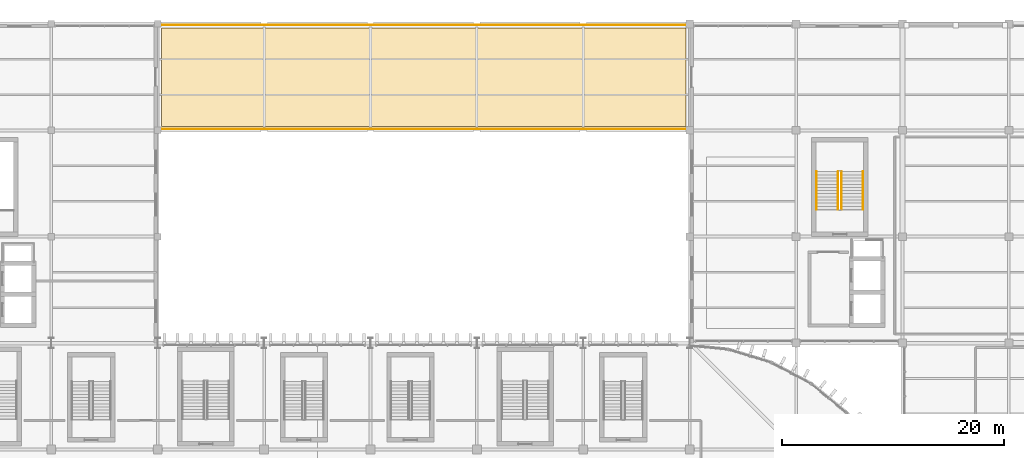
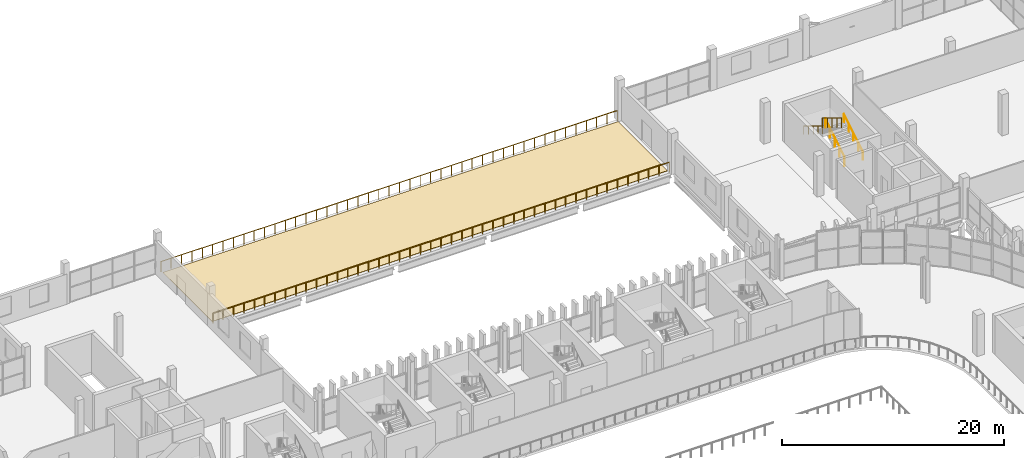
# One storey, part 74 of 75: 6 railings, 1 covering.
"""IFC4 building model written with IfcOpenShell, lengths in metres."""

from ifc_helpers import new_model, si_unit, direction, frame, origin, origin_2d, place, context, subcontext, project, spatial, polyline, circle, outline, extrude, material, layer, layer_set, type_object, element, save


model = new_model("IFC4")

# Units and contexts
model_context = context("Model", 3, precision=1e-05, world=origin(), true_north=direction((0.0, 1.0)))
body_context = subcontext(model_context, "Body", "Model", "MODEL_VIEW")
ifc_project = project(units=[si_unit("LENGTHUNIT", "METRE"), si_unit("AREAUNIT", "SQUARE_METRE"), si_unit("VOLUMEUNIT", "CUBIC_METRE"), si_unit("PLANEANGLEUNIT", "RADIAN"), si_unit("MASSUNIT", "GRAM", prefix="KILO")], contexts=[model_context])

# Site, building, storey
site_placement = place(None, origin())
site = spatial("IfcSite", under=ifc_project, at=site_placement, CompositionType="ELEMENT")
building_placement = place(site_placement, origin())
building = spatial("IfcBuilding", under=site, at=building_placement, Name="Caelomonte Colonnade Arena", CompositionType="ELEMENT")
storey_placement = place(building_placement, frame((0.0, 0.0, 14.10009765625)))
storey = spatial("IfcBuildingStorey", under=building, at=storey_placement, Name="L03", CompositionType="ELEMENT", Elevation=14.10009765625)

# Covering
ifc_material_1 = material(Name="Travertine colonnade arrival paving", Category="masonry")
ifc_layer = layer(ifc_material_1, 0.0400390625)
ifc_layer_set = layer_set([ifc_layer], Name="Travertine colonnade arrival paving")
covering_type = type_object("IfcCoveringType", Name="ENV-CV-PAV25", PredefinedType="FLOORING", material=ifc_layer_set)
covering_placement = place(storey_placement, origin())
element("IfcCovering", 1, at=covering_placement, inside=storey, type_object=covering_type, Name="Peristyle North Courtyard Terrace travertine terrace paving 3", PredefinedType="FLOORING", context=body_context, shape_type="SweptSolid", body=[
    extrude(outline(polyline([(96.35009765625, 134.75), (143.64990234375, 134.75), (143.64990234375, 143.64990234375), (96.35009765625, 143.64990234375), (96.35009765625, 134.75)])), origin(), (0.0, 0.0, 1.0), 0.039794921875),
])

# Railings
ifc_material_2 = material(Name="Travertine limestone and bronze balustrade", Category="masonry")
railing_type_1 = type_object("IfcRailingType", Name="ENV-RL-BAL1", PredefinedType="BALUSTRADE", material=ifc_material_2)
railing_1_placement = place(storey_placement, frame((96.280029296875, 143.8798828125, 0.0)))
element("IfcRailing", 2, at=railing_1_placement, inside=storey, type_object=railing_type_1, Name="Peristyle North Courtyard Terrace perimeter guard 1", PredefinedType="BALUSTRADE", context=body_context, shape_type="SweptSolid", body=[
    extrude(circle(Radius=0.02392578125, at=origin_2d()), frame((0.0, 0.0, 1.09619140625), z_axis=(1.0, 0.0, 0.0), x_axis=(0.0, 1.0, 0.0)), (0.0, 0.0, 1.0), 47.43994140625),
    extrude(circle(Radius=0.02099609375, at=origin_2d()), origin(), (0.0, 0.0, 1.0), 1.068115234375),
    extrude(circle(Radius=0.02099609375, at=origin_2d()), frame((1.078125, 0.0, 0.0)), (0.0, 0.0, 1.0), 1.068115234375),
    extrude(circle(Radius=0.02099609375, at=origin_2d()), frame((2.15625, 0.0, 0.0)), (0.0, 0.0, 1.0), 1.068115234375),
    extrude(circle(Radius=0.02099609375, at=origin_2d()), frame((3.234619140625, 0.0, 0.0)), (0.0, 0.0, 1.0), 1.068115234375),
    extrude(circle(Radius=0.02099609375, at=origin_2d()), frame((4.312744140625, 0.0, 0.0)), (0.0, 0.0, 1.0), 1.068115234375),
    extrude(circle(Radius=0.02099609375, at=origin_2d()), frame((5.390869140625, 0.0, 0.0)), (0.0, 0.0, 1.0), 1.068115234375),
    extrude(circle(Radius=0.02099609375, at=origin_2d()), frame((6.468994140625, 0.0, 0.0)), (0.0, 0.0, 1.0), 1.068115234375),
    extrude(circle(Radius=0.02099609375, at=origin_2d()), frame((7.54736328125, 0.0, 0.0)), (0.0, 0.0, 1.0), 1.068115234375),
    extrude(circle(Radius=0.02099609375, at=origin_2d()), frame((8.62548828125, 0.0, 0.0)), (0.0, 0.0, 1.0), 1.068115234375),
    extrude(circle(Radius=0.02099609375, at=origin_2d()), frame((9.70361328125, 0.0, 0.0)), (0.0, 0.0, 1.0), 1.068115234375),
    extrude(circle(Radius=0.02099609375, at=origin_2d()), frame((10.78173828125, 0.0, 0.0)), (0.0, 0.0, 1.0), 1.068115234375),
    extrude(circle(Radius=0.02099609375, at=origin_2d()), frame((11.85986328125, 0.0, 0.0)), (0.0, 0.0, 1.0), 1.068115234375),
    extrude(circle(Radius=0.02099609375, at=origin_2d()), frame((12.938232421875, 0.0, 0.0)), (0.0, 0.0, 1.0), 1.068115234375),
    extrude(circle(Radius=0.02099609375, at=origin_2d()), frame((14.016357421875, 0.0, 0.0)), (0.0, 0.0, 1.0), 1.068115234375),
    extrude(circle(Radius=0.02099609375, at=origin_2d()), frame((15.094482421875, 0.0, 0.0)), (0.0, 0.0, 1.0), 1.068115234375),
    extrude(circle(Radius=0.02099609375, at=origin_2d()), frame((16.172607421875, 0.0, 0.0)), (0.0, 0.0, 1.0), 1.068115234375),
    extrude(circle(Radius=0.02099609375, at=origin_2d()), frame((17.2509765625, 0.0, 0.0)), (0.0, 0.0, 1.0), 1.068115234375),
    extrude(circle(Radius=0.02099609375, at=origin_2d()), frame((18.3291015625, 0.0, 0.0)), (0.0, 0.0, 1.0), 1.068115234375),
    extrude(circle(Radius=0.02099609375, at=origin_2d()), frame((19.4072265625, 0.0, 0.0)), (0.0, 0.0, 1.0), 1.068115234375),
    extrude(circle(Radius=0.02099609375, at=origin_2d()), frame((20.4853515625, 0.0, 0.0)), (0.0, 0.0, 1.0), 1.068115234375),
    extrude(circle(Radius=0.02099609375, at=origin_2d()), frame((21.563720703125, 0.0, 0.0)), (0.0, 0.0, 1.0), 1.068115234375),
    extrude(circle(Radius=0.02099609375, at=origin_2d()), frame((22.641845703125, 0.0, 0.0)), (0.0, 0.0, 1.0), 1.068115234375),
    extrude(circle(Radius=0.02099609375, at=origin_2d()), frame((23.719970703125, 0.0, 0.0)), (0.0, 0.0, 1.0), 1.068115234375),
    extrude(circle(Radius=0.02099609375, at=origin_2d()), frame((24.798095703125, 0.0, 0.0)), (0.0, 0.0, 1.0), 1.068115234375),
    extrude(circle(Radius=0.02099609375, at=origin_2d()), frame((25.876220703125, 0.0, 0.0)), (0.0, 0.0, 1.0), 1.068115234375),
    extrude(circle(Radius=0.02099609375, at=origin_2d()), frame((26.95458984375, 0.0, 0.0)), (0.0, 0.0, 1.0), 1.068115234375),
    extrude(circle(Radius=0.02099609375, at=origin_2d()), frame((28.03271484375, 0.0, 0.0)), (0.0, 0.0, 1.0), 1.068115234375),
    extrude(circle(Radius=0.02099609375, at=origin_2d()), frame((29.11083984375, 0.0, 0.0)), (0.0, 0.0, 1.0), 1.068115234375),
    extrude(circle(Radius=0.02099609375, at=origin_2d()), frame((30.18896484375, 0.0, 0.0)), (0.0, 0.0, 1.0), 1.068115234375),
    extrude(circle(Radius=0.02099609375, at=origin_2d()), frame((31.267333984375, 0.0, 0.0)), (0.0, 0.0, 1.0), 1.068115234375),
    extrude(circle(Radius=0.02099609375, at=origin_2d()), frame((32.345458984375, 0.0, 0.0)), (0.0, 0.0, 1.0), 1.068115234375),
    extrude(circle(Radius=0.02099609375, at=origin_2d()), frame((33.423583984375, 0.0, 0.0)), (0.0, 0.0, 1.0), 1.068115234375),
    extrude(circle(Radius=0.02099609375, at=origin_2d()), frame((34.501708984375, 0.0, 0.0)), (0.0, 0.0, 1.0), 1.068115234375),
    extrude(circle(Radius=0.02099609375, at=origin_2d()), frame((35.580078125, 0.0, 0.0)), (0.0, 0.0, 1.0), 1.068115234375),
    extrude(circle(Radius=0.02099609375, at=origin_2d()), frame((36.658203125, 0.0, 0.0)), (0.0, 0.0, 1.0), 1.068115234375),
    extrude(circle(Radius=0.02099609375, at=origin_2d()), frame((37.736328125, 0.0, 0.0)), (0.0, 0.0, 1.0), 1.068115234375),
    extrude(circle(Radius=0.02099609375, at=origin_2d()), frame((38.814453125, 0.0, 0.0)), (0.0, 0.0, 1.0), 1.068115234375),
    extrude(circle(Radius=0.02099609375, at=origin_2d()), frame((39.892578125, 0.0, 0.0)), (0.0, 0.0, 1.0), 1.068115234375),
    extrude(circle(Radius=0.02099609375, at=origin_2d()), frame((40.970947265625, 0.0, 0.0)), (0.0, 0.0, 1.0), 1.068115234375),
    extrude(circle(Radius=0.02099609375, at=origin_2d()), frame((42.049072265625, 0.0, 0.0)), (0.0, 0.0, 1.0), 1.068115234375),
    extrude(circle(Radius=0.02099609375, at=origin_2d()), frame((43.127197265625, 0.0, 0.0)), (0.0, 0.0, 1.0), 1.068115234375),
    extrude(circle(Radius=0.02099609375, at=origin_2d()), frame((44.205322265625, 0.0, 0.0)), (0.0, 0.0, 1.0), 1.068115234375),
    extrude(circle(Radius=0.02099609375, at=origin_2d()), frame((45.28369140625, 0.0, 0.0)), (0.0, 0.0, 1.0), 1.068115234375),
    extrude(circle(Radius=0.02099609375, at=origin_2d()), frame((46.36181640625, 0.0, 0.0)), (0.0, 0.0, 1.0), 1.068115234375),
    extrude(circle(Radius=0.02099609375, at=origin_2d()), frame((47.43994140625, 0.0, 0.0)), (0.0, 0.0, 1.0), 1.068115234375),
])
railing_2_placement = place(storey_placement, frame((143.719970703125, 134.52001953125, 0.0)))
element("IfcRailing", 3, at=railing_2_placement, inside=storey, type_object=railing_type_1, Name="Peristyle North Courtyard Terrace perimeter guard 2", PredefinedType="BALUSTRADE", context=body_context, shape_type="SweptSolid", body=[
    extrude(circle(Radius=0.02392578125, at=origin_2d()), frame((0.0, 0.0, 1.09619140625), z_axis=(-1.0, 0.0, 0.0), x_axis=(0.0, -1.0, 0.0)), (0.0, 0.0, 1.0), 47.43994140625),
    extrude(circle(Radius=0.02099609375, at=origin_2d()), origin(), (0.0, 0.0, 1.0), 1.068115234375),
    extrude(circle(Radius=0.02099609375, at=origin_2d()), frame((-1.078125, 0.0, 0.0)), (0.0, 0.0, 1.0), 1.068115234375),
    extrude(circle(Radius=0.02099609375, at=origin_2d()), frame((-2.15625, 0.0, 0.0)), (0.0, 0.0, 1.0), 1.068115234375),
    extrude(circle(Radius=0.02099609375, at=origin_2d()), frame((-3.234619140625, 0.0, 0.0)), (0.0, 0.0, 1.0), 1.068115234375),
    extrude(circle(Radius=0.02099609375, at=origin_2d()), frame((-4.312744140625, 0.0, 0.0)), (0.0, 0.0, 1.0), 1.068115234375),
    extrude(circle(Radius=0.02099609375, at=origin_2d()), frame((-5.390869140625, 0.0, 0.0)), (0.0, 0.0, 1.0), 1.068115234375),
    extrude(circle(Radius=0.02099609375, at=origin_2d()), frame((-6.468994140625, 0.0, 0.0)), (0.0, 0.0, 1.0), 1.068115234375),
    extrude(circle(Radius=0.02099609375, at=origin_2d()), frame((-7.54736328125, 0.0, 0.0)), (0.0, 0.0, 1.0), 1.068115234375),
    extrude(circle(Radius=0.02099609375, at=origin_2d()), frame((-8.62548828125, 0.0, 0.0)), (0.0, 0.0, 1.0), 1.068115234375),
    extrude(circle(Radius=0.02099609375, at=origin_2d()), frame((-9.70361328125, 0.0, 0.0)), (0.0, 0.0, 1.0), 1.068115234375),
    extrude(circle(Radius=0.02099609375, at=origin_2d()), frame((-10.78173828125, 0.0, 0.0)), (0.0, 0.0, 1.0), 1.068115234375),
    extrude(circle(Radius=0.02099609375, at=origin_2d()), frame((-11.85986328125, 0.0, 0.0)), (0.0, 0.0, 1.0), 1.068115234375),
    extrude(circle(Radius=0.02099609375, at=origin_2d()), frame((-12.938232421875, 0.0, 0.0)), (0.0, 0.0, 1.0), 1.068115234375),
    extrude(circle(Radius=0.02099609375, at=origin_2d()), frame((-14.016357421875, 0.0, 0.0)), (0.0, 0.0, 1.0), 1.068115234375),
    extrude(circle(Radius=0.02099609375, at=origin_2d()), frame((-15.094482421875, 0.0, 0.0)), (0.0, 0.0, 1.0), 1.068115234375),
    extrude(circle(Radius=0.02099609375, at=origin_2d()), frame((-16.172607421875, 0.0, 0.0)), (0.0, 0.0, 1.0), 1.068115234375),
    extrude(circle(Radius=0.02099609375, at=origin_2d()), frame((-17.2509765625, 0.0, 0.0)), (0.0, 0.0, 1.0), 1.068115234375),
    extrude(circle(Radius=0.02099609375, at=origin_2d()), frame((-18.3291015625, 0.0, 0.0)), (0.0, 0.0, 1.0), 1.068115234375),
    extrude(circle(Radius=0.02099609375, at=origin_2d()), frame((-19.4072265625, 0.0, 0.0)), (0.0, 0.0, 1.0), 1.068115234375),
    extrude(circle(Radius=0.02099609375, at=origin_2d()), frame((-20.4853515625, 0.0, 0.0)), (0.0, 0.0, 1.0), 1.068115234375),
    extrude(circle(Radius=0.02099609375, at=origin_2d()), frame((-21.563720703125, 0.0, 0.0)), (0.0, 0.0, 1.0), 1.068115234375),
    extrude(circle(Radius=0.02099609375, at=origin_2d()), frame((-22.641845703125, 0.0, 0.0)), (0.0, 0.0, 1.0), 1.068115234375),
    extrude(circle(Radius=0.02099609375, at=origin_2d()), frame((-23.719970703125, 0.0, 0.0)), (0.0, 0.0, 1.0), 1.068115234375),
    extrude(circle(Radius=0.02099609375, at=origin_2d()), frame((-24.798095703125, 0.0, 0.0)), (0.0, 0.0, 1.0), 1.068115234375),
    extrude(circle(Radius=0.02099609375, at=origin_2d()), frame((-25.876220703125, 0.0, 0.0)), (0.0, 0.0, 1.0), 1.068115234375),
    extrude(circle(Radius=0.02099609375, at=origin_2d()), frame((-26.95458984375, 0.0, 0.0)), (0.0, 0.0, 1.0), 1.068115234375),
    extrude(circle(Radius=0.02099609375, at=origin_2d()), frame((-28.03271484375, 0.0, 0.0)), (0.0, 0.0, 1.0), 1.068115234375),
    extrude(circle(Radius=0.02099609375, at=origin_2d()), frame((-29.11083984375, 0.0, 0.0)), (0.0, 0.0, 1.0), 1.068115234375),
    extrude(circle(Radius=0.02099609375, at=origin_2d()), frame((-30.18896484375, 0.0, 0.0)), (0.0, 0.0, 1.0), 1.068115234375),
    extrude(circle(Radius=0.02099609375, at=origin_2d()), frame((-31.267333984375, 0.0, 0.0)), (0.0, 0.0, 1.0), 1.068115234375),
    extrude(circle(Radius=0.02099609375, at=origin_2d()), frame((-32.345458984375, 0.0, 0.0)), (0.0, 0.0, 1.0), 1.068115234375),
    extrude(circle(Radius=0.02099609375, at=origin_2d()), frame((-33.423583984375, 0.0, 0.0)), (0.0, 0.0, 1.0), 1.068115234375),
    extrude(circle(Radius=0.02099609375, at=origin_2d()), frame((-34.501708984375, 0.0, 0.0)), (0.0, 0.0, 1.0), 1.068115234375),
    extrude(circle(Radius=0.02099609375, at=origin_2d()), frame((-35.580078125, 0.0, 0.0)), (0.0, 0.0, 1.0), 1.068115234375),
    extrude(circle(Radius=0.02099609375, at=origin_2d()), frame((-36.658203125, 0.0, 0.0)), (0.0, 0.0, 1.0), 1.068115234375),
    extrude(circle(Radius=0.02099609375, at=origin_2d()), frame((-37.736328125, 0.0, 0.0)), (0.0, 0.0, 1.0), 1.068115234375),
    extrude(circle(Radius=0.02099609375, at=origin_2d()), frame((-38.814453125, 0.0, 0.0)), (0.0, 0.0, 1.0), 1.068115234375),
    extrude(circle(Radius=0.02099609375, at=origin_2d()), frame((-39.892578125, 0.0, 0.0)), (0.0, 0.0, 1.0), 1.068115234375),
    extrude(circle(Radius=0.02099609375, at=origin_2d()), frame((-40.970947265625, 0.0, 0.0)), (0.0, 0.0, 1.0), 1.068115234375),
    extrude(circle(Radius=0.02099609375, at=origin_2d()), frame((-42.049072265625, 0.0, 0.0)), (0.0, 0.0, 1.0), 1.068115234375),
    extrude(circle(Radius=0.02099609375, at=origin_2d()), frame((-43.127197265625, 0.0, 0.0)), (0.0, 0.0, 1.0), 1.068115234375),
    extrude(circle(Radius=0.02099609375, at=origin_2d()), frame((-44.205322265625, 0.0, 0.0)), (0.0, 0.0, 1.0), 1.068115234375),
    extrude(circle(Radius=0.02099609375, at=origin_2d()), frame((-45.28369140625, 0.0, 0.0)), (0.0, 0.0, 1.0), 1.068115234375),
    extrude(circle(Radius=0.02099609375, at=origin_2d()), frame((-46.36181640625, 0.0, 0.0)), (0.0, 0.0, 1.0), 1.068115234375),
    extrude(circle(Radius=0.02099609375, at=origin_2d()), frame((-47.43994140625, 0.0, 0.0)), (0.0, 0.0, 1.0), 1.068115234375),
])
ifc_material_3 = material(Name="Painted galvanized steel stair guard", Category="steel")
railing_type_2 = type_object("IfcRailingType", Name="INT-RL-GRD", PredefinedType="GUARDRAIL", material=ifc_material_3)
railing_3_placement = place(storey_placement, frame((157.699951171875, 127.25, 0.173095703125)))
element("IfcRailing", 4, at=railing_3_placement, inside=storey, type_object=railing_type_2, Name="L03 ST-06 stair guard 1", PredefinedType="GUARDRAIL", context=body_context, shape_type="SweptSolid", body=[
    extrude(circle(Radius=0.02392578125, at=origin_2d()), frame((0.0, 0.0, 1.076171875), z_axis=(0.0, 0.854729506542, 0.519073665916), x_axis=(-1.0, 0.0, 0.0)), (0.0, 0.0, 1.0), 4.001220703125),
    extrude(circle(Radius=0.02099609375, at=origin_2d()), origin(), (0.0, 0.0, 1.0), 1.048095703125),
    extrude(circle(Radius=0.02099609375, at=origin_2d()), frame((0.0, 0.85498046875, 0.519287109375)), (0.0, 0.0, 1.0), 1.048095703125),
    extrude(circle(Radius=0.02099609375, at=origin_2d()), frame((0.0, 1.7099609375, 1.03857421875)), (0.0, 0.0, 1.0), 1.048095703125),
    extrude(circle(Radius=0.02099609375, at=origin_2d()), frame((0.0, 2.56494140625, 1.5576171875)), (0.0, 0.0, 1.0), 1.048095703125),
    extrude(circle(Radius=0.02099609375, at=origin_2d()), frame((0.0, 3.419921875, 2.076904296875)), (0.0, 0.0, 1.0), 1.048095703125),
])
railing_4_placement = place(storey_placement, frame((157.39990234375, 130.669921875, 2.423095703125)))
element("IfcRailing", 5, at=railing_4_placement, inside=storey, type_object=railing_type_2, Name="L03 ST-06 stair guard 3", PredefinedType="GUARDRAIL", context=body_context, shape_type="SweptSolid", body=[
    extrude(circle(Radius=0.02392578125, at=origin_2d()), frame((0.0, 0.0, 1.076171875), z_axis=(0.0, -0.854729506542, 0.519073665916), x_axis=(1.0, 0.0, 0.0)), (0.0, 0.0, 1.0), 4.001220703125),
    extrude(circle(Radius=0.02099609375, at=origin_2d()), origin(), (0.0, 0.0, 1.0), 1.048095703125),
    extrude(circle(Radius=0.02099609375, at=origin_2d()), frame((0.0, -0.85498046875, 0.519287109375)), (0.0, 0.0, 1.0), 1.048095703125),
    extrude(circle(Radius=0.02099609375, at=origin_2d()), frame((0.0, -1.7099609375, 1.03857421875)), (0.0, 0.0, 1.0), 1.048095703125),
    extrude(circle(Radius=0.02099609375, at=origin_2d()), frame((0.0, -2.56494140625, 1.5576171875)), (0.0, 0.0, 1.0), 1.048095703125),
    extrude(circle(Radius=0.02099609375, at=origin_2d()), frame((0.0, -3.419921875, 2.076904296875)), (0.0, 0.0, 1.0), 1.048095703125),
])
ifc_material_4 = material(Name="Brushed stainless steel stair handrail", Category="steel")
railing_type_3 = type_object("IfcRailingType", Name="INT-RL-HR", PredefinedType="HANDRAIL", material=ifc_material_4)
railing_5_placement = place(storey_placement, frame((159.64990234375, 127.25, 0.173095703125)))
element("IfcRailing", 6, at=railing_5_placement, inside=storey, type_object=railing_type_3, Name="L03 ST-06 stair handrail 1", PredefinedType="HANDRAIL", context=body_context, shape_type="SweptSolid", body=[
    extrude(circle(Radius=0.02392578125, at=origin_2d()), frame((0.0, 0.0, 0.8759765625), z_axis=(0.0, 0.854729506542, 0.519073665916), x_axis=(-1.0, 0.0, 0.0)), (0.0, 0.0, 1.0), 4.001220703125),
    extrude(circle(Radius=0.02099609375, at=origin_2d()), origin(), (0.0, 0.0, 1.0), 0.847900390625),
    extrude(circle(Radius=0.02099609375, at=origin_2d()), frame((0.0, 0.85498046875, 0.519287109375)), (0.0, 0.0, 1.0), 0.847900390625),
    extrude(circle(Radius=0.02099609375, at=origin_2d()), frame((0.0, 1.7099609375, 1.03857421875)), (0.0, 0.0, 1.0), 0.847900390625),
    extrude(circle(Radius=0.02099609375, at=origin_2d()), frame((0.0, 2.56494140625, 1.5576171875)), (0.0, 0.0, 1.0), 0.847900390625),
    extrude(circle(Radius=0.02099609375, at=origin_2d()), frame((0.0, 3.419921875, 2.076904296875)), (0.0, 0.0, 1.0), 0.847900390625),
])
railing_6_placement = place(storey_placement, frame((155.449951171875, 130.669921875, 2.423095703125)))
element("IfcRailing", 7, at=railing_6_placement, inside=storey, type_object=railing_type_3, Name="L03 ST-06 stair handrail 2", PredefinedType="HANDRAIL", context=body_context, shape_type="SweptSolid", body=[
    extrude(circle(Radius=0.02392578125, at=origin_2d()), frame((0.0, 0.0, 0.8759765625), z_axis=(0.0, -0.854729506542, 0.519073665916), x_axis=(1.0, 0.0, 0.0)), (0.0, 0.0, 1.0), 4.001220703125),
    extrude(circle(Radius=0.02099609375, at=origin_2d()), origin(), (0.0, 0.0, 1.0), 0.847900390625),
    extrude(circle(Radius=0.02099609375, at=origin_2d()), frame((0.0, -0.85498046875, 0.519287109375)), (0.0, 0.0, 1.0), 0.847900390625),
    extrude(circle(Radius=0.02099609375, at=origin_2d()), frame((0.0, -1.7099609375, 1.03857421875)), (0.0, 0.0, 1.0), 0.847900390625),
    extrude(circle(Radius=0.02099609375, at=origin_2d()), frame((0.0, -2.56494140625, 1.5576171875)), (0.0, 0.0, 1.0), 0.847900390625),
    extrude(circle(Radius=0.02099609375, at=origin_2d()), frame((0.0, -3.419921875, 2.076904296875)), (0.0, 0.0, 1.0), 0.847900390625),
])

save(model, "model.ifc")
